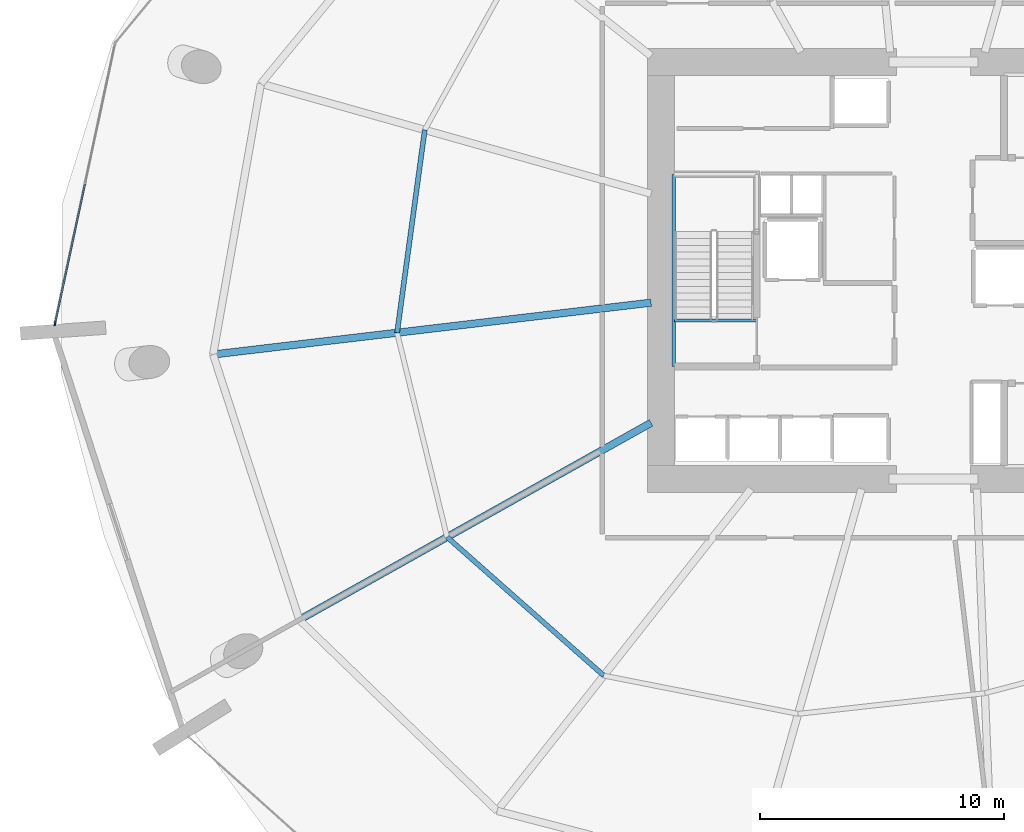
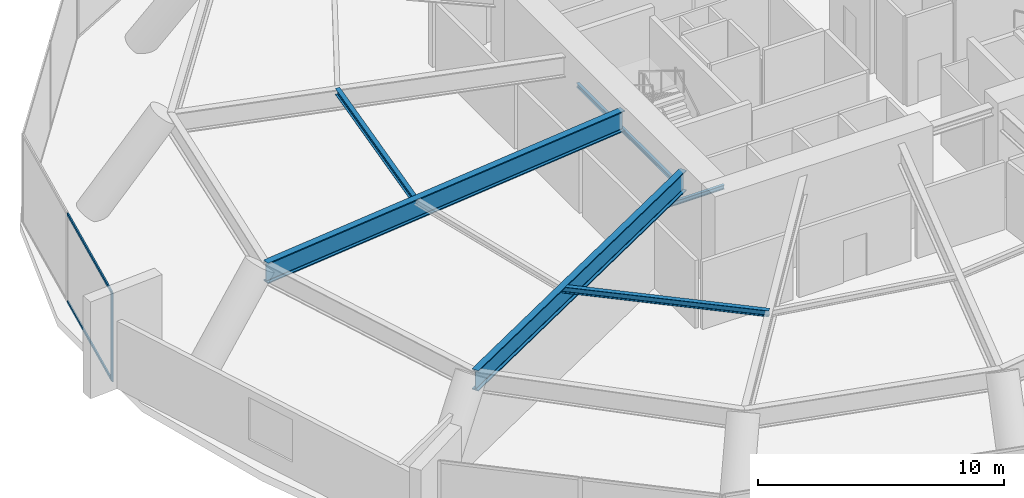
# One storey, part 8 of 21: 6 beams, 3 members, 1 element without a shape of its own.
"""IFC4 building model written with IfcOpenShell, lengths in metres."""

from ifc_helpers import new_model, si_unit, direction, frame, origin, origin_2d, place, context, subcontext, project, spatial, rectangle, i_section, extrude, material, layer, layer_set, material_profile, profile_set, type_object, element, aggregate, save


model = new_model("IFC4")

# Units and contexts
model_context = context("Model", 3, precision=1e-05, world=origin(), true_north=direction((0.0, 1.0)))
body_context = subcontext(model_context, "Body", "Model", "MODEL_VIEW")
ifc_project = project(units=[si_unit("LENGTHUNIT", "METRE"), si_unit("AREAUNIT", "SQUARE_METRE"), si_unit("VOLUMEUNIT", "CUBIC_METRE"), si_unit("PLANEANGLEUNIT", "RADIAN"), si_unit("MASSUNIT", "GRAM", prefix="KILO")], contexts=[model_context])

# Site, building, storey
site_placement = place(None, origin())
site = spatial("IfcSite", under=ifc_project, at=site_placement, CompositionType="ELEMENT")
building_placement = place(site_placement, origin())
building = spatial("IfcBuilding", under=site, at=building_placement, Name="Kazma Halo Residences", CompositionType="ELEMENT")
storey_placement = place(building_placement, frame((0.0, 0.0, 21.60009765625)))
storey = spatial("IfcBuildingStorey", under=building, at=storey_placement, Name="L04", CompositionType="ELEMENT", Elevation=21.60009765625)

# Beams
ifc_material_1 = material(Name="Steel S355", Category="steel")
ifc_material_profile_1 = material_profile(ifc_material_1, i_section(OverallWidth=0.202880859375, OverallDepth=0.302978515625, WebThickness=0.007568359375, FlangeThickness=0.01318359375, FilletRadius=0.013916015625, at=origin_2d()), Name="W310x60")
ifc_profile_set_1 = profile_set([ifc_material_profile_1], Name="Steel S355")
beam_type_1 = type_object("IfcBeamType", Name="BM-SEC-W310A", PredefinedType="JOIST", material=ifc_profile_set_1)
beam_1_placement = place(storey_placement, frame((27.5751953125, 47.76025390625, 4.248291015625), z_axis=(-0.135295015926, -0.990805358618, 0.0), x_axis=(0.990805358618, -0.135295015926, 0.0)))
element("IfcBeam", 1, at=beam_1_placement, inside=storey, type_object=beam_type_1, Name="L04 circumferential floor joist 07", PredefinedType="JOIST", context=body_context, shape_type="SweptSolid", body=[
    extrude(i_section(OverallWidth=0.202880859375, OverallDepth=0.302978515625, WebThickness=0.007568359375, FlangeThickness=0.01318359375, FilletRadius=0.013916015625, at=origin_2d()), origin(), (0.0, 0.0, 1.0), 8.38916015625),
])
beam_2_placement = place(storey_placement, frame((28.4892578125, 31.073486328125, 4.248291015625), z_axis=(0.749209100468, -0.662333544203, 0.0), x_axis=(0.662333544203, 0.749209100468, 0.0)))
element("IfcBeam", 2, at=beam_2_placement, inside=storey, type_object=beam_type_1, Name="L04 circumferential floor joist 09", PredefinedType="JOIST", context=body_context, shape_type="SweptSolid", body=[
    extrude(i_section(OverallWidth=0.202880859375, OverallDepth=0.302978515625, WebThickness=0.007568359375, FlangeThickness=0.01318359375, FilletRadius=0.013916015625, at=origin_2d()), origin(), (0.0, 0.0, 1.0), 8.5712890625),
])
ifc_material_profile_2 = material_profile(ifc_material_1, i_section(OverallWidth=0.302001953125, OverallDepth=1.01806640625, WebThickness=0.021484375, FlangeThickness=0.049072265625, FilletRadius=0.028076171875, at=origin_2d()), Name="W1000x443")
ifc_profile_set_2 = profile_set([ifc_material_profile_2], Name="Steel S355")
beam_type_2 = type_object("IfcBeamType", Name="BM-TRANS-W1000A", PredefinedType="BEAM", material=ifc_profile_set_2)
beam_3_placement = place(storey_placement, frame((36.85009765625, 40.680419921875, 3.890869140625), z_axis=(-0.993066996258, -0.117549738168, 0.0), x_axis=(0.117549738168, -0.993066996258, 0.0)))
element("IfcBeam", 3, at=beam_3_placement, inside=storey, type_object=beam_type_2, Name="L04 podium radial transfer girder 08", PredefinedType="BEAM", context=body_context, shape_type="SweptSolid", body=[
    extrude(i_section(OverallWidth=0.302001953125, OverallDepth=1.01806640625, WebThickness=0.021484375, FlangeThickness=0.049072265625, FilletRadius=0.028076171875, at=origin_2d()), origin(), (0.0, 0.0, 1.0), 18.0732421875),
])
beam_4_placement = place(storey_placement, frame((36.85009765625, 35.755615234375, 3.890869140625), z_axis=(-0.872497448354, -0.488618667896, 0.0), x_axis=(0.488618667896, -0.872497448354, 0.0)))
element("IfcBeam", 4, at=beam_4_placement, inside=storey, type_object=beam_type_2, Name="L04 podium radial transfer girder 09", PredefinedType="BEAM", context=body_context, shape_type="SweptSolid", body=[
    extrude(i_section(OverallWidth=0.302001953125, OverallDepth=1.01806640625, WebThickness=0.021484375, FlangeThickness=0.049072265625, FilletRadius=0.028076171875, at=origin_2d()), origin(), (0.0, 0.0, 1.0), 16.521484375),
])
ifc_material_profile_3 = material_profile(ifc_material_1, i_section(OverallWidth=0.133056640625, OverallDepth=0.20703125, WebThickness=0.005859375, FlangeThickness=0.00830078125, FilletRadius=0.010009765625, at=origin_2d()), Name="W200x26.6")
ifc_profile_set_3 = profile_set([ifc_material_profile_3], Name="Steel S355")
beam_type_3 = type_object("IfcBeamType", Name="BM-TRIM-W200", PredefinedType="BEAM", material=ifc_profile_set_3)
beam_5_placement = place(storey_placement, frame((37.800048828125, 39.949951171875, -0.510009765625), z_axis=(1.0, 0.0, 0.0), x_axis=(0.0, 1.0, 0.0)))
element("IfcBeam", 5, at=beam_5_placement, inside=storey, type_object=beam_type_3, Name="L04 ST-01 floor landing support beam", PredefinedType="BEAM", context=body_context, shape_type="SweptSolid", body=[
    extrude(i_section(OverallWidth=0.133056640625, OverallDepth=0.20703125, WebThickness=0.005859375, FlangeThickness=0.00830078125, FilletRadius=0.010009765625, at=origin_2d()), origin(), (0.0, 0.0, 1.0), 3.3798828125),
])
beam_6_placement = place(storey_placement, frame((37.780029296875, 38.06005859375, 2.094970703125), z_axis=(0.0, 1.0, 0.0), x_axis=(-1.0, 0.0, 0.0)))
element("IfcBeam", 6, at=beam_6_placement, inside=storey, type_object=beam_type_3, Name="L04 ST-01 landing west wall ledger", PredefinedType="BEAM", context=body_context, shape_type="SweptSolid", body=[
    extrude(i_section(OverallWidth=0.133056640625, OverallDepth=0.20703125, WebThickness=0.005859375, FlangeThickness=0.00830078125, FilletRadius=0.010009765625, at=origin_2d()), origin(), (0.0, 0.0, 1.0), 7.8798828125),
])

# Curtain wall, members
ifc_material_2 = material(Name="Aluminium AW-6063 T6 and Triple-Silver Low-E Glass", Category="aluminium")
ifc_layer = layer(ifc_material_2, 0.179931640625)
ifc_layer_set = layer_set([ifc_layer], Name="Aluminium AW-6063 T6 and Triple-Silver Low-E Glass")
curtain_wall_type = type_object("IfcCurtainWallType", Name="CW-SYS-1", PredefinedType="NOTDEFINED", material=ifc_layer_set)
curtain_wall_placement = place(storey_placement, origin())
curtain_wall = element("IfcCurtainWall", 7, at=curtain_wall_placement, inside=storey, type_object=curtain_wall_type, Name="L04 unitised curtain wall B07", PredefinedType="NOTDEFINED")
ifc_material_3 = material(Name="Aluminium AW-6063 T6", Category="aluminium")
ifc_material_profile_4 = material_profile(ifc_material_3, rectangle(XDim=0.06494140625, YDim=0.179931640625, at=origin_2d()), Name="CWM-65x180")
ifc_profile_set_4 = profile_set([ifc_material_profile_4], Name="Aluminium AW-6063 T6")
member_type_1 = type_object("IfcMemberType", Name="CW-SYS-1-MUL", PredefinedType="MULLION", material=ifc_profile_set_4)
member_1_placement = place(storey_placement, frame((12.426025390625, 39.824462890625, 0.0), z_axis=(0.0, 0.0, 1.0), x_axis=(0.977788157631, -0.209595607771, 0.0)))
member_1 = element("IfcMember", 8, at=member_1_placement, type_object=member_type_1, Name="CWS-1 mullion 3", PredefinedType="MULLION", context=body_context, shape_type="SweptSolid", body=[
    extrude(rectangle(XDim=0.06494140625, YDim=0.179931640625, at=origin_2d()), origin(), (0.0, 0.0, 1.0), 4.39990234375),
])
ifc_material_profile_5 = material_profile(ifc_material_3, rectangle(XDim=0.06494140625, YDim=0.135009765625, at=origin_2d()), Name="CWT-65x135")
ifc_profile_set_5 = profile_set([ifc_material_profile_5], Name="Aluminium AW-6063 T6")
member_type_2 = type_object("IfcMemberType", Name="CW-SYS-1-TRN", PredefinedType="USERDEFINED", material=ifc_profile_set_5)
member_2_placement = place(storey_placement, frame((13.649658203125, 45.532958984375, 0.032470703125), z_axis=(-0.209586525071, -0.977790104526, 0.0), x_axis=(0.977790104526, -0.209586525071, 0.0)))
member_2 = element("IfcMember", 9, at=member_2_placement, type_object=member_type_2, Name="CWS-1 transom 2.1", ObjectType="TRANSOM", PredefinedType="USERDEFINED", context=body_context, shape_type="SweptSolid", body=[
    extrude(rectangle(XDim=0.06494140625, YDim=0.135009765625, at=origin_2d()), origin(), (0.0, 0.0, 1.0), 5.8056640625),
])
member_3_placement = place(storey_placement, frame((13.649658203125, 45.532958984375, 4.367431640625), z_axis=(-0.209586525071, -0.977790104526, 0.0), x_axis=(0.977790104526, -0.209586525071, 0.0)))
member_3 = element("IfcMember", 10, at=member_3_placement, type_object=member_type_2, Name="CWS-1 transom 2.2", ObjectType="TRANSOM", PredefinedType="USERDEFINED", context=body_context, shape_type="SweptSolid", body=[
    extrude(rectangle(XDim=0.06494140625, YDim=0.135009765625, at=origin_2d()), origin(), (0.0, 0.0, 1.0), 5.8056640625),
])
aggregate(curtain_wall, [member_1, member_2, member_3])

save(model, "model.ifc")
